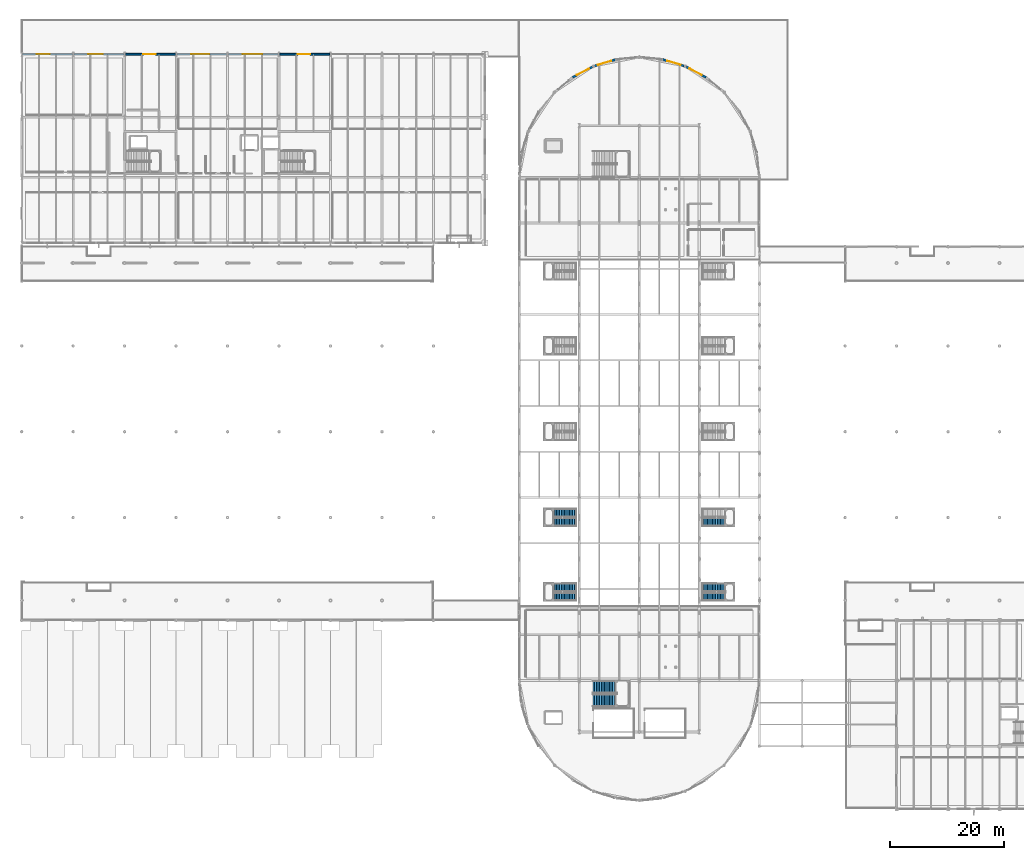
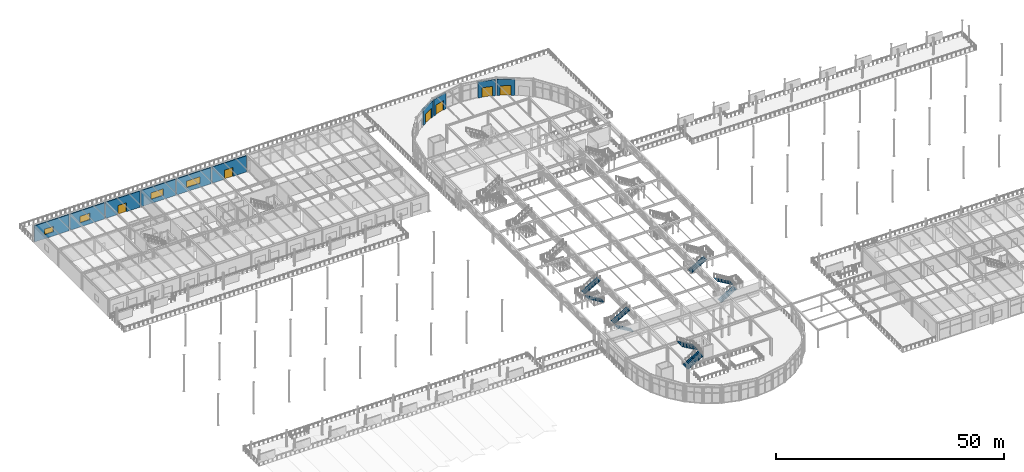
# One storey, part 89 of 143: 10 walls, 9 stair flights, 6 doors, 4 windows, 10 openings, 5 elements without a shape of their own.
"""IFC4 building model written with IfcOpenShell, lengths in metres."""

from ifc_helpers import new_model, si_unit, direction, frame, frame_2d, origin, place, context, subcontext, project, spatial, polyline, rectangle, outline, extrude, material, layer, layer_set, type_object, element, fill, aggregate, save


model = new_model("IFC4")

# Units and contexts
model_context = context("Model", 3, precision=1e-05, world=origin(), true_north=direction((0.0, 1.0)))
body_context = subcontext(model_context, "Body", "Model", "MODEL_VIEW")
ifc_project = project(units=[si_unit("LENGTHUNIT", "METRE"), si_unit("AREAUNIT", "SQUARE_METRE"), si_unit("VOLUMEUNIT", "CUBIC_METRE"), si_unit("PLANEANGLEUNIT", "RADIAN"), si_unit("MASSUNIT", "GRAM", prefix="KILO")], contexts=[model_context])

# Site, building, storey
site_placement = place(None, origin())
site = spatial("IfcSite", under=ifc_project, at=site_placement, CompositionType="ELEMENT")
building_placement = place(site_placement, origin())
building = spatial("IfcBuilding", under=site, at=building_placement, Name="Marlcrest Central Station", CompositionType="ELEMENT")
storey_placement = place(building_placement, frame((0.0, 0.0, 4.800048828125)))
storey = spatial("IfcBuildingStorey", under=building, at=storey_placement, Name="L01", CompositionType="ELEMENT", Elevation=4.800048828125)

# Wall, opening, window
ifc_material_1 = material(Name="Concrete C40/50", Category="concrete")
ifc_layer_1 = layer(ifc_material_1, 0.320068359375, Name="EW-01")
ifc_layer_set_1 = layer_set([ifc_layer_1], Name="Concrete C40/50")
wall_type_1 = type_object("IfcWallType", Name="EW-01", PredefinedType="SOLIDWALL", material=ifc_layer_set_1)
wall_1_placement = place(storey_placement, frame((0.14990234375, 132.0, 0.0), z_axis=(0.0, 0.0, 1.0), x_axis=(1.0, 0.0, 0.0)))
wall_1 = element("IfcWall", 1, at=wall_1_placement, inside=storey, type_object=wall_type_1, Name="ewall-L01-0112", PredefinedType="SOLIDWALL", context=body_context, shape_type="SweptSolid", body=[
    extrude(rectangle(XDim=8.7001953125, YDim=0.320068359375, at=frame_2d((4.35009765625, 0.0))), origin(), (0.0, 0.0, 1.0), 4.349853515625),
])
opening_1_placement = place(wall_1_placement, frame((2.5, 0.0, 1.10009765625)))
opening_1 = element("IfcOpeningElement", 2, at=opening_1_placement, cuts=wall_1, Name="Opening WN-16", PredefinedType="OPENING", context=body_context, shape_type="SweptSolid", body=[
    extrude(rectangle(XDim=2.25, YDim=1.449951171875, at=frame_2d((1.125, 0.72509765625))), frame((0.0, 0.169921875, 0.0), z_axis=(0.0, -1.0, 0.0), x_axis=(1.0, 0.0, 0.0)), (0.0, 0.0, 1.0), 0.340087890625),
])
ifc_material_2 = material(Name="Thermally broken bronze-anodised aluminium and laminated low-E glass", Category="aluminium")
window_type_1 = type_object("IfcWindowType", Name="WN-16", PartitioningType="SINGLE_PANEL", PredefinedType="WINDOW", material=ifc_material_2)
window_1_placement = place(opening_1_placement, origin())
window_1 = element("IfcWindow", 3, at=window_1_placement, inside=storey, type_object=window_type_1, Name="ewin-L01-0062", OverallHeight=1.449951171875, OverallWidth=2.25, PartitioningType="SINGLE_PANEL", PredefinedType="WINDOW", context=body_context, shape_type="SweptSolid", body=[
    extrude(rectangle(XDim=2.25, YDim=1.449951171875, at=frame_2d((1.125, 0.72509765625))), frame((0.0, 0.030029296875, 0.0), z_axis=(0.0, -1.0, 0.0), x_axis=(1.0, 0.0, 0.0)), (0.0, 0.0, 1.0), 0.06005859375),
])
fill(opening_1, window_1)

wall_2_placement = place(storey_placement, frame((9.14990234375, 132.0, 0.0), z_axis=(0.0, 0.0, 1.0), x_axis=(1.0, 0.0, 0.0)))
wall_2 = element("IfcWall", 4, at=wall_2_placement, inside=storey, type_object=wall_type_1, Name="ewall-L01-0114", PredefinedType="SOLIDWALL", context=body_context, shape_type="SweptSolid", body=[
    extrude(rectangle(XDim=8.7001953125, YDim=0.320068359375, at=frame_2d((4.35009765625, 0.0))), origin(), (0.0, 0.0, 1.0), 4.349853515625),
])
opening_2_placement = place(wall_2_placement, frame((2.5, 0.0, 1.10009765625)))
opening_2 = element("IfcOpeningElement", 5, at=opening_2_placement, cuts=wall_2, Name="Opening WN-17", PredefinedType="OPENING", context=body_context, shape_type="SweptSolid", body=[
    extrude(rectangle(XDim=2.550048828125, YDim=1.75, at=frame_2d((1.27490234375, 0.875))), frame((0.0, 0.169921875, 0.0), z_axis=(0.0, -1.0, 0.0), x_axis=(1.0, 0.0, 0.0)), (0.0, 0.0, 1.0), 0.340087890625),
])
window_type_2 = type_object("IfcWindowType", Name="WN-17", PartitioningType="SINGLE_PANEL", PredefinedType="WINDOW", material=ifc_material_2)
window_2_placement = place(opening_2_placement, origin())
window_2 = element("IfcWindow", 6, at=window_2_placement, inside=storey, type_object=window_type_2, Name="ewin-L01-0065", OverallHeight=1.75, OverallWidth=2.550048828125, PartitioningType="SINGLE_PANEL", PredefinedType="WINDOW", context=body_context, shape_type="SweptSolid", body=[
    extrude(rectangle(XDim=2.550048828125, YDim=1.75, at=frame_2d((1.27490234375, 0.875))), frame((0.0, 0.030029296875, 0.0), z_axis=(0.0, -1.0, 0.0), x_axis=(1.0, 0.0, 0.0)), (0.0, 0.0, 1.0), 0.06005859375),
])
fill(opening_2, window_2)

# Wall, opening, door
wall_3_placement = place(storey_placement, frame((18.14990234375, 132.0, 0.0), z_axis=(0.0, 0.0, 1.0), x_axis=(1.0, 0.0, 0.0)))
wall_3 = element("IfcWall", 7, at=wall_3_placement, inside=storey, type_object=wall_type_1, Name="ewall-L01-0116", PredefinedType="SOLIDWALL", context=body_context, shape_type="SweptSolid", body=[
    extrude(rectangle(XDim=8.7001953125, YDim=0.320068359375, at=frame_2d((4.35009765625, 0.0))), origin(), (0.0, 0.0, 1.0), 4.349853515625),
])
opening_3_placement = place(wall_3_placement, frame((3.10009765625, 0.0, 0.0)))
opening_3 = element("IfcOpeningElement", 8, at=opening_3_placement, cuts=wall_3, Name="Opening ED-01", PredefinedType="OPENING", context=body_context, shape_type="SweptSolid", body=[
    extrude(rectangle(XDim=2.199951171875, YDim=2.39990234375, at=frame_2d((1.10009765625, 1.199951171875))), frame((0.0, 0.169921875, 0.0), z_axis=(0.0, -1.0, 0.0), x_axis=(1.0, 0.0, 0.0)), (0.0, 0.0, 1.0), 0.340087890625),
])
ifc_material_3 = material(Name="Thermally broken anodised aluminium and laminated safety glass", Category="aluminium")
door_type_1 = type_object("IfcDoorType", Name="ED-01", OperationType="DOUBLE_DOOR_SINGLE_SWING", PredefinedType="DOOR", material=ifc_material_3)
door_1_placement = place(opening_3_placement, origin())
door_1 = element("IfcDoor", 9, at=door_1_placement, inside=storey, type_object=door_type_1, Name="Hillside Street Operations Entrance Door 040", OperationType="DOUBLE_DOOR_SINGLE_SWING", OverallHeight=2.39990234375, OverallWidth=2.199951171875, PredefinedType="DOOR", context=body_context, shape_type="SweptSolid", body=[
    extrude(rectangle(XDim=2.199951171875, YDim=2.39990234375, at=frame_2d((1.10009765625, 1.199951171875))), frame((0.0, 0.02490234375, 0.0), z_axis=(0.0, -1.0, 0.0), x_axis=(1.0, 0.0, 0.0)), (0.0, 0.0, 1.0), 0.050048828125),
])
fill(opening_3, door_1)

# Wall, opening, window
wall_4_placement = place(storey_placement, frame((27.14990234375, 132.0, 0.0), z_axis=(0.0, 0.0, 1.0), x_axis=(1.0, 0.0, 0.0)))
wall_4 = element("IfcWall", 10, at=wall_4_placement, inside=storey, type_object=wall_type_1, Name="ewall-L01-0118", PredefinedType="SOLIDWALL", context=body_context, shape_type="SweptSolid", body=[
    extrude(rectangle(XDim=8.7001953125, YDim=0.320068359375, at=frame_2d((4.35009765625, 0.0))), origin(), (0.0, 0.0, 1.0), 4.349853515625),
])
opening_4_placement = place(wall_4_placement, frame((2.5, 0.0, 1.10009765625)))
opening_4 = element("IfcOpeningElement", 11, at=opening_4_placement, cuts=wall_4, Name="Opening WN-19", PredefinedType="OPENING", context=body_context, shape_type="SweptSolid", body=[
    extrude(rectangle(XDim=3.14990234375, YDim=1.75, at=frame_2d((1.574951171875, 0.875))), frame((0.0, 0.169921875, 0.0), z_axis=(0.0, -1.0, 0.0), x_axis=(1.0, 0.0, 0.0)), (0.0, 0.0, 1.0), 0.340087890625),
])
window_type_3 = type_object("IfcWindowType", Name="WN-19", PartitioningType="SINGLE_PANEL", PredefinedType="WINDOW", material=ifc_material_2)
window_3_placement = place(opening_4_placement, origin())
window_3 = element("IfcWindow", 12, at=window_3_placement, inside=storey, type_object=window_type_3, Name="ewin-L01-0068", OverallHeight=1.75, OverallWidth=3.14990234375, PartitioningType="SINGLE_PANEL", PredefinedType="WINDOW", context=body_context, shape_type="SweptSolid", body=[
    extrude(rectangle(XDim=3.14990234375, YDim=1.75, at=frame_2d((1.574951171875, 0.875))), frame((0.0, 0.030029296875, 0.0), z_axis=(0.0, -1.0, 0.0), x_axis=(1.0, 0.0, 0.0)), (0.0, 0.0, 1.0), 0.06005859375),
])
fill(opening_4, window_3)

wall_5_placement = place(storey_placement, frame((36.14990234375, 132.0, 0.0), z_axis=(0.0, 0.0, 1.0), x_axis=(1.0, 0.0, 0.0)))
wall_5 = element("IfcWall", 13, at=wall_5_placement, inside=storey, type_object=wall_type_1, Name="ewall-L01-0120", PredefinedType="SOLIDWALL", context=body_context, shape_type="SweptSolid", body=[
    extrude(rectangle(XDim=8.7001953125, YDim=0.320068359375, at=frame_2d((4.35009765625, 0.0))), origin(), (0.0, 0.0, 1.0), 4.349853515625),
])
opening_5_placement = place(wall_5_placement, frame((2.5, 0.0, 1.10009765625)))
opening_5 = element("IfcOpeningElement", 14, at=opening_5_placement, cuts=wall_5, Name="Opening WN-20", PredefinedType="OPENING", context=body_context, shape_type="SweptSolid", body=[
    extrude(rectangle(XDim=3.449951171875, YDim=1.75, at=frame_2d((1.72509765625, 0.875))), frame((0.0, 0.169921875, 0.0), z_axis=(0.0, -1.0, 0.0), x_axis=(1.0, 0.0, 0.0)), (0.0, 0.0, 1.0), 0.340087890625),
])
window_type_4 = type_object("IfcWindowType", Name="WN-20", PartitioningType="SINGLE_PANEL", PredefinedType="WINDOW", material=ifc_material_2)
window_4_placement = place(opening_5_placement, origin())
window_4 = element("IfcWindow", 15, at=window_4_placement, inside=storey, type_object=window_type_4, Name="ewin-L01-0071", OverallHeight=1.75, OverallWidth=3.449951171875, PartitioningType="SINGLE_PANEL", PredefinedType="WINDOW", context=body_context, shape_type="SweptSolid", body=[
    extrude(rectangle(XDim=3.449951171875, YDim=1.75, at=frame_2d((1.72509765625, 0.875))), frame((0.0, 0.030029296875, 0.0), z_axis=(0.0, -1.0, 0.0), x_axis=(1.0, 0.0, 0.0)), (0.0, 0.0, 1.0), 0.06005859375),
])
fill(opening_5, window_4)

# Wall, opening, door
wall_6_placement = place(storey_placement, frame((45.14990234375, 132.0, 0.0), z_axis=(0.0, 0.0, 1.0), x_axis=(1.0, 0.0, 0.0)))
wall_6 = element("IfcWall", 16, at=wall_6_placement, inside=storey, type_object=wall_type_1, Name="ewall-L01-0122", PredefinedType="SOLIDWALL", context=body_context, shape_type="SweptSolid", body=[
    extrude(rectangle(XDim=8.7001953125, YDim=0.320068359375, at=frame_2d((4.35009765625, 0.0))), origin(), (0.0, 0.0, 1.0), 4.349853515625),
])
opening_6_placement = place(wall_6_placement, frame((3.10009765625, 0.0, 0.0)))
opening_6 = element("IfcOpeningElement", 17, at=opening_6_placement, cuts=wall_6, Name="Opening ED-01", PredefinedType="OPENING", context=body_context, shape_type="SweptSolid", body=[
    extrude(rectangle(XDim=2.199951171875, YDim=2.39990234375, at=frame_2d((1.10009765625, 1.199951171875))), frame((0.0, 0.169921875, 0.0), z_axis=(0.0, -1.0, 0.0), x_axis=(1.0, 0.0, 0.0)), (0.0, 0.0, 1.0), 0.340087890625),
])
door_2_placement = place(opening_6_placement, origin())
door_2 = element("IfcDoor", 18, at=door_2_placement, inside=storey, type_object=door_type_1, Name="Hillside Street Operations Entrance Door 042", OperationType="DOUBLE_DOOR_SINGLE_SWING", OverallHeight=2.39990234375, OverallWidth=2.199951171875, PredefinedType="DOOR", context=body_context, shape_type="SweptSolid", body=[
    extrude(rectangle(XDim=2.199951171875, YDim=2.39990234375, at=frame_2d((1.10009765625, 1.199951171875))), frame((0.0, 0.02490234375, 0.0), z_axis=(0.0, -1.0, 0.0), x_axis=(1.0, 0.0, 0.0)), (0.0, 0.0, 1.0), 0.050048828125),
])
fill(opening_6, door_2)

ifc_material_4 = material(Name="St. Thomas limestone on Concrete C40/50", Category="masonry")
ifc_layer_2 = layer(ifc_material_4, 0.360107421875, Name="EW-06")
ifc_layer_set_2 = layer_set([ifc_layer_2], Name="St. Thomas limestone on Concrete C40/50")
wall_type_2 = type_object("IfcWallType", Name="EW-06", PredefinedType="SOLIDWALL", material=ifc_layer_set_2)
wall_7_placement = place(storey_placement, frame((96.3330078125, 127.9609375, 0.0), z_axis=(0.0, 0.0, 1.0), x_axis=(0.881935241061, 0.471370587303, 0.0)))
wall_7 = element("IfcWall", 19, at=wall_7_placement, inside=storey, type_object=wall_type_2, Name="ewall-L01-0010", PredefinedType="SOLIDWALL", context=body_context, shape_type="SweptSolid", body=[
    extrude(rectangle(XDim=3.918701171875, YDim=0.360107421875, at=frame_2d((1.95947265625, 0.0))), origin(), (0.0, 0.0, 1.0), 4.300048828125),
])
opening_7_placement = place(wall_7_placement, frame((0.84912109375, 0.0, 0.0)))
opening_7 = element("IfcOpeningElement", 20, at=opening_7_placement, cuts=wall_7, Name="Opening ED-02", PredefinedType="OPENING", context=body_context, shape_type="SweptSolid", body=[
    extrude(rectangle(XDim=2.39990234375, YDim=2.60009765625, at=frame_2d((1.199951171875, 1.300048828125))), frame((0.0, 0.18994140625, 0.0), z_axis=(0.0, -1.0, 0.0), x_axis=(1.0, 0.0, 0.0)), (0.0, 0.0, 1.0), 0.380126953125),
])
door_type_2 = type_object("IfcDoorType", Name="ED-02", OperationType="DOUBLE_DOOR_SINGLE_SWING", PredefinedType="DOOR", material=ifc_material_3)
door_3_placement = place(opening_7_placement, origin())
door_3 = element("IfcDoor", 21, at=door_3_placement, inside=storey, type_object=door_type_2, Name="North Hillside Pedestrian Entrance Door 010", OperationType="DOUBLE_DOOR_SINGLE_SWING", OverallHeight=2.60009765625, OverallWidth=2.39990234375, PredefinedType="DOOR", context=body_context, shape_type="SweptSolid", body=[
    extrude(rectangle(XDim=2.39990234375, YDim=2.60009765625, at=frame_2d((1.199951171875, 1.300048828125))), frame((0.0, 0.02490234375, 0.0), z_axis=(0.0, -1.0, 0.0), x_axis=(1.0, 0.0, 0.0)), (0.0, 0.0, 1.0), 0.050048828125),
])
fill(opening_7, door_3)

wall_8_placement = place(storey_placement, frame((100.154052734375, 129.958984375, 0.0), z_axis=(0.0, 0.0, 1.0), x_axis=(0.956960962515, 0.290216671166, 0.0)))
wall_8 = element("IfcWall", 22, at=wall_8_placement, inside=storey, type_object=wall_type_2, Name="ewall-L01-0011", PredefinedType="SOLIDWALL", context=body_context, shape_type="SweptSolid", body=[
    extrude(rectangle(XDim=3.917724609375, YDim=0.360107421875, at=frame_2d((1.958984375, 0.0))), origin(), (0.0, 0.0, 1.0), 4.300048828125),
])
opening_8_placement = place(wall_8_placement, frame((0.65087890625, 0.0, 0.0)))
opening_8 = element("IfcOpeningElement", 23, at=opening_8_placement, cuts=wall_8, Name="Opening ED-02", PredefinedType="OPENING", context=body_context, shape_type="SweptSolid", body=[
    extrude(rectangle(XDim=2.39990234375, YDim=2.60009765625, at=frame_2d((1.199951171875, 1.300048828125))), frame((0.0, 0.18994140625, 0.0), z_axis=(0.0, -1.0, 0.0), x_axis=(1.0, 0.0, 0.0)), (0.0, 0.0, 1.0), 0.380126953125),
])
door_4_placement = place(opening_8_placement, origin())
door_4 = element("IfcDoor", 24, at=door_4_placement, inside=storey, type_object=door_type_2, Name="North Hillside Pedestrian Entrance Door 011", OperationType="DOUBLE_DOOR_SINGLE_SWING", OverallHeight=2.60009765625, OverallWidth=2.39990234375, PredefinedType="DOOR", context=body_context, shape_type="SweptSolid", body=[
    extrude(rectangle(XDim=2.39990234375, YDim=2.60009765625, at=frame_2d((1.199951171875, 1.300048828125))), frame((0.0, 0.02490234375, 0.0), z_axis=(0.0, -1.0, 0.0), x_axis=(1.0, 0.0, 0.0)), (0.0, 0.0, 1.0), 0.050048828125),
])
fill(opening_8, door_4)

wall_9_placement = place(storey_placement, frame((112.096923828125, 131.095947265625, 0.0), z_axis=(0.0, 0.0, 1.0), x_axis=(0.956960962515, -0.290216671166, 0.0)))
wall_9 = element("IfcWall", 25, at=wall_9_placement, inside=storey, type_object=wall_type_2, Name="ewall-L01-0012", PredefinedType="SOLIDWALL", context=body_context, shape_type="SweptSolid", body=[
    extrude(rectangle(XDim=3.917724609375, YDim=0.360107421875, at=frame_2d((1.958984375, 0.0))), origin(), (0.0, 0.0, 1.0), 4.300048828125),
])
opening_9_placement = place(wall_9_placement, frame((0.84912109375, 0.0, 0.0)))
opening_9 = element("IfcOpeningElement", 26, at=opening_9_placement, cuts=wall_9, Name="Opening ED-02", PredefinedType="OPENING", context=body_context, shape_type="SweptSolid", body=[
    extrude(rectangle(XDim=2.39990234375, YDim=2.60009765625, at=frame_2d((1.199951171875, 1.300048828125))), frame((0.0, 0.18994140625, 0.0), z_axis=(0.0, -1.0, 0.0), x_axis=(1.0, 0.0, 0.0)), (0.0, 0.0, 1.0), 0.380126953125),
])
door_5_placement = place(opening_9_placement, origin())
door_5 = element("IfcDoor", 27, at=door_5_placement, inside=storey, type_object=door_type_2, Name="North Hillside Pedestrian Entrance Door 012", OperationType="DOUBLE_DOOR_SINGLE_SWING", OverallHeight=2.60009765625, OverallWidth=2.39990234375, PredefinedType="DOOR", context=body_context, shape_type="SweptSolid", body=[
    extrude(rectangle(XDim=2.39990234375, YDim=2.60009765625, at=frame_2d((1.199951171875, 1.300048828125))), frame((0.0, 0.02490234375, 0.0), z_axis=(0.0, -1.0, 0.0), x_axis=(1.0, 0.0, 0.0)), (0.0, 0.0, 1.0), 0.050048828125),
])
fill(opening_9, door_5)

wall_10_placement = place(storey_placement, frame((116.2109375, 129.80810546875, 0.0), z_axis=(0.0, 0.0, 1.0), x_axis=(0.881935241061, -0.471370587303, 0.0)))
wall_10 = element("IfcWall", 28, at=wall_10_placement, inside=storey, type_object=wall_type_2, Name="ewall-L01-0013", PredefinedType="SOLIDWALL", context=body_context, shape_type="SweptSolid", body=[
    extrude(rectangle(XDim=3.918701171875, YDim=0.360107421875, at=frame_2d((1.95947265625, 0.0))), origin(), (0.0, 0.0, 1.0), 4.300048828125),
])
opening_10_placement = place(wall_10_placement, frame((0.65087890625, 0.0, 0.0)))
opening_10 = element("IfcOpeningElement", 29, at=opening_10_placement, cuts=wall_10, Name="Opening ED-02", PredefinedType="OPENING", context=body_context, shape_type="SweptSolid", body=[
    extrude(rectangle(XDim=2.39990234375, YDim=2.60009765625, at=frame_2d((1.199951171875, 1.300048828125))), frame((0.0, 0.18994140625, 0.0), z_axis=(0.0, -1.0, 0.0), x_axis=(1.0, 0.0, 0.0)), (0.0, 0.0, 1.0), 0.380126953125),
])
door_6_placement = place(opening_10_placement, origin())
door_6 = element("IfcDoor", 30, at=door_6_placement, inside=storey, type_object=door_type_2, Name="North Hillside Pedestrian Entrance Door 013", OperationType="DOUBLE_DOOR_SINGLE_SWING", OverallHeight=2.60009765625, OverallWidth=2.39990234375, PredefinedType="DOOR", context=body_context, shape_type="SweptSolid", body=[
    extrude(rectangle(XDim=2.39990234375, YDim=2.60009765625, at=frame_2d((1.199951171875, 1.300048828125))), frame((0.0, 0.02490234375, 0.0), z_axis=(0.0, -1.0, 0.0), x_axis=(1.0, 0.0, 0.0)), (0.0, 0.0, 1.0), 0.050048828125),
])
fill(opening_10, door_6)

# Stair, stair flights
ifc_material_5 = material(Name="Concrete C35/45", Category="concrete")
stair_type_1 = type_object("IfcStairType", Name="ST-HTP", PredefinedType="HALF_TURN_STAIR", material=ifc_material_5)
stair_1_placement = place(storey_placement, origin())
stair_1 = element("IfcStair", 31, at=stair_1_placement, inside=storey, type_object=stair_type_1, Name="ST-P1WU", PredefinedType="HALF_TURN_STAIR")
stair_flight_type_1 = type_object("IfcStairFlightType", Name="SF-145", PredefinedType="STRAIGHT", material=ifc_material_5)
stair_flight_1_placement = place(storey_placement, frame((96.929931640625, 37.14501953125, 0.0), z_axis=(0.0, 0.0, 1.0), x_axis=(-1.0, 0.0, 0.0)))
stair_flight_1 = element("IfcStairFlight", 32, at=stair_flight_1_placement, type_object=stair_flight_type_1, Name="ST-P1WU-F1", NumberOfRisers=15, NumberOfTreads=14, PredefinedType="STRAIGHT", RiserHeight=0.166667, TreadLength=0.285, context=body_context, shape_type="SweptSolid", body=[
    extrude(outline(polyline([(0.0, 0.0), (0.0, 0.166748046875), (0.284912109375, 0.166748046875), (0.284912109375, 0.333251953125), (0.570068359375, 0.333251953125), (0.570068359375, 0.5), (0.85498046875, 0.5), (0.85498046875, 0.666748046875), (1.139892578125, 0.666748046875), (1.139892578125, 0.833251953125), (1.425048828125, 0.833251953125), (1.425048828125, 1.0), (1.7099609375, 1.0), (1.7099609375, 1.166748046875), (1.9951171875, 1.166748046875), (1.9951171875, 1.333251953125), (2.280029296875, 1.333251953125), (2.280029296875, 1.5), (2.56494140625, 1.5), (2.56494140625, 1.666748046875), (2.85009765625, 1.666748046875), (2.85009765625, 1.833251953125), (3.135009765625, 1.833251953125), (3.135009765625, 2.0), (3.419921875, 2.0), (3.419921875, 2.166748046875), (3.705078125, 2.166748046875), (3.705078125, 2.333251953125), (3.989990234375, 2.333251953125), (3.989990234375, 2.5), (3.989990234375, 2.148193359375), (0.31689453125, 0.0), (0.0, 0.0)])), frame((0.0, 0.72509765625, 0.0), z_axis=(0.0, -1.0, 0.0), x_axis=(1.0, 0.0, 0.0)), (0.0, 0.0, 1.0), 1.449951171875),
])
stair_flight_2_placement = place(storey_placement, frame((92.93994140625, 38.7548828125, 2.5), z_axis=(0.0, 0.0, 1.0), x_axis=(1.0, 0.0, 0.0)))
stair_flight_2 = element("IfcStairFlight", 33, at=stair_flight_2_placement, type_object=stair_flight_type_1, Name="ST-P1WU-F2", NumberOfRisers=15, NumberOfTreads=14, PredefinedType="STRAIGHT", RiserHeight=0.166667, TreadLength=0.285, context=body_context, shape_type="SweptSolid", body=[
    extrude(outline(polyline([(0.0, 0.0), (0.0, 0.166748046875), (0.284912109375, 0.166748046875), (0.284912109375, 0.333251953125), (0.570068359375, 0.333251953125), (0.570068359375, 0.5), (0.85498046875, 0.5), (0.85498046875, 0.666748046875), (1.139892578125, 0.666748046875), (1.139892578125, 0.833251953125), (1.425048828125, 0.833251953125), (1.425048828125, 1.0), (1.7099609375, 1.0), (1.7099609375, 1.166748046875), (1.9951171875, 1.166748046875), (1.9951171875, 1.333251953125), (2.280029296875, 1.333251953125), (2.280029296875, 1.5), (2.56494140625, 1.5), (2.56494140625, 1.666748046875), (2.85009765625, 1.666748046875), (2.85009765625, 1.833251953125), (3.135009765625, 1.833251953125), (3.135009765625, 2.0), (3.419921875, 2.0), (3.419921875, 2.166748046875), (3.705078125, 2.166748046875), (3.705078125, 2.333251953125), (3.989990234375, 2.333251953125), (3.989990234375, 2.5), (3.989990234375, 2.148193359375), (0.31689453125, 0.0), (0.0, 0.0)])), frame((0.0, 0.72509765625, 0.0), z_axis=(0.0, -1.0, 0.0), x_axis=(1.0, 0.0, 0.0)), (0.0, 0.0, 1.0), 1.449951171875),
])
aggregate(stair_1, [stair_flight_1, stair_flight_2])

stair_2_placement = place(storey_placement, origin())
stair_2 = element("IfcStair", 34, at=stair_2_placement, inside=storey, type_object=stair_type_1, Name="ST-P1EU", PredefinedType="HALF_TURN_STAIR")
stair_flight_3_placement = place(storey_placement, frame((119.070068359375, 37.14501953125, 0.0), z_axis=(0.0, 0.0, 1.0), x_axis=(1.0, 0.0, 0.0)))
stair_flight_3 = element("IfcStairFlight", 35, at=stair_flight_3_placement, type_object=stair_flight_type_1, Name="ST-P1EU-F1", NumberOfRisers=15, NumberOfTreads=14, PredefinedType="STRAIGHT", RiserHeight=0.166667, TreadLength=0.285, context=body_context, shape_type="SweptSolid", body=[
    extrude(outline(polyline([(0.0, 0.0), (0.0, 0.166748046875), (0.284912109375, 0.166748046875), (0.284912109375, 0.333251953125), (0.570068359375, 0.333251953125), (0.570068359375, 0.5), (0.85498046875, 0.5), (0.85498046875, 0.666748046875), (1.139892578125, 0.666748046875), (1.139892578125, 0.833251953125), (1.425048828125, 0.833251953125), (1.425048828125, 1.0), (1.7099609375, 1.0), (1.7099609375, 1.166748046875), (1.9951171875, 1.166748046875), (1.9951171875, 1.333251953125), (2.280029296875, 1.333251953125), (2.280029296875, 1.5), (2.56494140625, 1.5), (2.56494140625, 1.666748046875), (2.85009765625, 1.666748046875), (2.85009765625, 1.833251953125), (3.135009765625, 1.833251953125), (3.135009765625, 2.0), (3.419921875, 2.0), (3.419921875, 2.166748046875), (3.705078125, 2.166748046875), (3.705078125, 2.333251953125), (3.989990234375, 2.333251953125), (3.989990234375, 2.5), (3.989990234375, 2.148193359375), (0.31689453125, 0.0), (0.0, 0.0)])), frame((0.0, 0.72509765625, 0.0), z_axis=(0.0, -1.0, 0.0), x_axis=(1.0, 0.0, 0.0)), (0.0, 0.0, 1.0), 1.449951171875),
])
stair_flight_4_placement = place(storey_placement, frame((123.06005859375, 38.7548828125, 2.5), z_axis=(0.0, 0.0, 1.0), x_axis=(-1.0, 0.0, 0.0)))
stair_flight_4 = element("IfcStairFlight", 36, at=stair_flight_4_placement, type_object=stair_flight_type_1, Name="ST-P1EU-F2", NumberOfRisers=15, NumberOfTreads=14, PredefinedType="STRAIGHT", RiserHeight=0.166667, TreadLength=0.285, context=body_context, shape_type="SweptSolid", body=[
    extrude(outline(polyline([(0.0, 0.0), (0.0, 0.166748046875), (0.284912109375, 0.166748046875), (0.284912109375, 0.333251953125), (0.570068359375, 0.333251953125), (0.570068359375, 0.5), (0.85498046875, 0.5), (0.85498046875, 0.666748046875), (1.139892578125, 0.666748046875), (1.139892578125, 0.833251953125), (1.425048828125, 0.833251953125), (1.425048828125, 1.0), (1.7099609375, 1.0), (1.7099609375, 1.166748046875), (1.9951171875, 1.166748046875), (1.9951171875, 1.333251953125), (2.280029296875, 1.333251953125), (2.280029296875, 1.5), (2.56494140625, 1.5), (2.56494140625, 1.666748046875), (2.85009765625, 1.666748046875), (2.85009765625, 1.833251953125), (3.135009765625, 1.833251953125), (3.135009765625, 2.0), (3.419921875, 2.0), (3.419921875, 2.166748046875), (3.705078125, 2.166748046875), (3.705078125, 2.333251953125), (3.989990234375, 2.333251953125), (3.989990234375, 2.5), (3.989990234375, 2.148193359375), (0.31689453125, 0.0), (0.0, 0.0)])), frame((0.0, 0.72509765625, 0.0), z_axis=(0.0, -1.0, 0.0), x_axis=(1.0, 0.0, 0.0)), (0.0, 0.0, 1.0), 1.449951171875),
])
aggregate(stair_2, [stair_flight_3, stair_flight_4])

stair_3_placement = place(storey_placement, origin())
stair_3 = element("IfcStair", 37, at=stair_3_placement, inside=storey, type_object=stair_type_1, Name="ST-P2WU", PredefinedType="HALF_TURN_STAIR")
stair_flight_5_placement = place(storey_placement, frame((96.929931640625, 50.195068359375, 0.0), z_axis=(0.0, 0.0, 1.0), x_axis=(-1.0, 0.0, 0.0)))
stair_flight_5 = element("IfcStairFlight", 38, at=stair_flight_5_placement, type_object=stair_flight_type_1, Name="ST-P2WU-F1", NumberOfRisers=15, NumberOfTreads=14, PredefinedType="STRAIGHT", RiserHeight=0.166667, TreadLength=0.285, context=body_context, shape_type="SweptSolid", body=[
    extrude(outline(polyline([(0.0, 0.0), (0.0, 0.166748046875), (0.284912109375, 0.166748046875), (0.284912109375, 0.333251953125), (0.570068359375, 0.333251953125), (0.570068359375, 0.5), (0.85498046875, 0.5), (0.85498046875, 0.666748046875), (1.139892578125, 0.666748046875), (1.139892578125, 0.833251953125), (1.425048828125, 0.833251953125), (1.425048828125, 1.0), (1.7099609375, 1.0), (1.7099609375, 1.166748046875), (1.9951171875, 1.166748046875), (1.9951171875, 1.333251953125), (2.280029296875, 1.333251953125), (2.280029296875, 1.5), (2.56494140625, 1.5), (2.56494140625, 1.666748046875), (2.85009765625, 1.666748046875), (2.85009765625, 1.833251953125), (3.135009765625, 1.833251953125), (3.135009765625, 2.0), (3.419921875, 2.0), (3.419921875, 2.166748046875), (3.705078125, 2.166748046875), (3.705078125, 2.333251953125), (3.989990234375, 2.333251953125), (3.989990234375, 2.5), (3.989990234375, 2.148193359375), (0.31689453125, 0.0), (0.0, 0.0)])), frame((0.0, 0.72509765625, 0.0), z_axis=(0.0, -1.0, 0.0), x_axis=(1.0, 0.0, 0.0)), (0.0, 0.0, 1.0), 1.449951171875),
])
stair_flight_6_placement = place(storey_placement, frame((92.93994140625, 51.804931640625, 2.5), z_axis=(0.0, 0.0, 1.0), x_axis=(1.0, 0.0, 0.0)))
stair_flight_6 = element("IfcStairFlight", 39, at=stair_flight_6_placement, type_object=stair_flight_type_1, Name="ST-P2WU-F2", NumberOfRisers=15, NumberOfTreads=14, PredefinedType="STRAIGHT", RiserHeight=0.166667, TreadLength=0.285, context=body_context, shape_type="SweptSolid", body=[
    extrude(outline(polyline([(0.0, 0.0), (0.0, 0.166748046875), (0.284912109375, 0.166748046875), (0.284912109375, 0.333251953125), (0.570068359375, 0.333251953125), (0.570068359375, 0.5), (0.85498046875, 0.5), (0.85498046875, 0.666748046875), (1.139892578125, 0.666748046875), (1.139892578125, 0.833251953125), (1.425048828125, 0.833251953125), (1.425048828125, 1.0), (1.7099609375, 1.0), (1.7099609375, 1.166748046875), (1.9951171875, 1.166748046875), (1.9951171875, 1.333251953125), (2.280029296875, 1.333251953125), (2.280029296875, 1.5), (2.56494140625, 1.5), (2.56494140625, 1.666748046875), (2.85009765625, 1.666748046875), (2.85009765625, 1.833251953125), (3.135009765625, 1.833251953125), (3.135009765625, 2.0), (3.419921875, 2.0), (3.419921875, 2.166748046875), (3.705078125, 2.166748046875), (3.705078125, 2.333251953125), (3.989990234375, 2.333251953125), (3.989990234375, 2.5), (3.989990234375, 2.148193359375), (0.31689453125, 0.0), (0.0, 0.0)])), frame((0.0, 0.72509765625, 0.0), z_axis=(0.0, -1.0, 0.0), x_axis=(1.0, 0.0, 0.0)), (0.0, 0.0, 1.0), 1.449951171875),
])
aggregate(stair_3, [stair_flight_5, stair_flight_6])

# Stair, stair flight
stair_4_placement = place(storey_placement, origin())
stair_4 = element("IfcStair", 40, at=stair_4_placement, inside=storey, type_object=stair_type_1, Name="ST-P2EU", PredefinedType="HALF_TURN_STAIR")
stair_flight_7_placement = place(storey_placement, frame((119.070068359375, 50.195068359375, 0.0), z_axis=(0.0, 0.0, 1.0), x_axis=(1.0, 0.0, 0.0)))
stair_flight_7 = element("IfcStairFlight", 41, at=stair_flight_7_placement, type_object=stair_flight_type_1, Name="ST-P2EU-F1", NumberOfRisers=15, NumberOfTreads=14, PredefinedType="STRAIGHT", RiserHeight=0.166667, TreadLength=0.285, context=body_context, shape_type="SweptSolid", body=[
    extrude(outline(polyline([(0.0, 0.0), (0.0, 0.166748046875), (0.284912109375, 0.166748046875), (0.284912109375, 0.333251953125), (0.570068359375, 0.333251953125), (0.570068359375, 0.5), (0.85498046875, 0.5), (0.85498046875, 0.666748046875), (1.139892578125, 0.666748046875), (1.139892578125, 0.833251953125), (1.425048828125, 0.833251953125), (1.425048828125, 1.0), (1.7099609375, 1.0), (1.7099609375, 1.166748046875), (1.9951171875, 1.166748046875), (1.9951171875, 1.333251953125), (2.280029296875, 1.333251953125), (2.280029296875, 1.5), (2.56494140625, 1.5), (2.56494140625, 1.666748046875), (2.85009765625, 1.666748046875), (2.85009765625, 1.833251953125), (3.135009765625, 1.833251953125), (3.135009765625, 2.0), (3.419921875, 2.0), (3.419921875, 2.166748046875), (3.705078125, 2.166748046875), (3.705078125, 2.333251953125), (3.989990234375, 2.333251953125), (3.989990234375, 2.5), (3.989990234375, 2.148193359375), (0.31689453125, 0.0), (0.0, 0.0)])), frame((0.0, 0.72509765625, 0.0), z_axis=(0.0, -1.0, 0.0), x_axis=(1.0, 0.0, 0.0)), (0.0, 0.0, 1.0), 1.449951171875),
])
aggregate(stair_4, [stair_flight_7])

# Stair, stair flights
stair_type_2 = type_object("IfcStairType", Name="ST-HTW", PredefinedType="HALF_TURN_STAIR", material=ifc_material_5)
stair_5_placement = place(storey_placement, origin())
stair_5 = element("IfcStair", 42, at=stair_5_placement, inside=storey, type_object=stair_type_2, Name="ST-S11", PredefinedType="HALF_TURN_STAIR")
stair_flight_type_2 = type_object("IfcStairFlightType", Name="SF-240", PredefinedType="STRAIGHT", material=ifc_material_5)
stair_flight_8_placement = place(storey_placement, frame((99.919921875, 19.02001953125, 0.0), z_axis=(0.0, 0.0, 1.0), x_axis=(1.0, 0.0, 0.0)))
stair_flight_8 = element("IfcStairFlight", 43, at=stair_flight_8_placement, type_object=stair_flight_type_2, Name="ST-S11-F1", NumberOfRisers=15, NumberOfTreads=14, PredefinedType="STRAIGHT", RiserHeight=0.166666667, TreadLength=0.285, context=body_context, shape_type="SweptSolid", body=[
    extrude(outline(polyline([(0.0, 0.0), (0.0, 0.166748046875), (0.284912109375, 0.166748046875), (0.284912109375, 0.333251953125), (0.570068359375, 0.333251953125), (0.570068359375, 0.5), (0.85498046875, 0.5), (0.85498046875, 0.666748046875), (1.139892578125, 0.666748046875), (1.139892578125, 0.833251953125), (1.425048828125, 0.833251953125), (1.425048828125, 1.0), (1.7099609375, 1.0), (1.7099609375, 1.166748046875), (1.9951171875, 1.166748046875), (1.9951171875, 1.333251953125), (2.280029296875, 1.333251953125), (2.280029296875, 1.5), (2.56494140625, 1.5), (2.56494140625, 1.666748046875), (2.85009765625, 1.666748046875), (2.85009765625, 1.833251953125), (3.135009765625, 1.833251953125), (3.135009765625, 2.0), (3.419921875, 2.0), (3.419921875, 2.166748046875), (3.705078125, 2.166748046875), (3.705078125, 2.333251953125), (3.989990234375, 2.333251953125), (3.989990234375, 2.5), (3.989990234375, 2.14208984375), (0.326904296875, 0.0), (0.0, 0.0)])), frame((0.0, 1.10009765625, 0.0), z_axis=(0.0, -1.0, 0.0), x_axis=(1.0, 0.0, 0.0)), (0.0, 0.0, 1.0), 2.199951171875),
])
stair_flight_9_placement = place(storey_placement, frame((103.909912109375, 21.3798828125, 2.5), z_axis=(0.0, 0.0, 1.0), x_axis=(-1.0, 0.0, 0.0)))
stair_flight_9 = element("IfcStairFlight", 44, at=stair_flight_9_placement, type_object=stair_flight_type_2, Name="ST-S11-F2", NumberOfRisers=15, NumberOfTreads=14, PredefinedType="STRAIGHT", RiserHeight=0.166666667, TreadLength=0.285, context=body_context, shape_type="SweptSolid", body=[
    extrude(outline(polyline([(0.0, 0.0), (0.0, 0.166748046875), (0.284912109375, 0.166748046875), (0.284912109375, 0.333251953125), (0.570068359375, 0.333251953125), (0.570068359375, 0.5), (0.85498046875, 0.5), (0.85498046875, 0.666748046875), (1.139892578125, 0.666748046875), (1.139892578125, 0.833251953125), (1.425048828125, 0.833251953125), (1.425048828125, 1.0), (1.7099609375, 1.0), (1.7099609375, 1.166748046875), (1.9951171875, 1.166748046875), (1.9951171875, 1.333251953125), (2.280029296875, 1.333251953125), (2.280029296875, 1.5), (2.56494140625, 1.5), (2.56494140625, 1.666748046875), (2.85009765625, 1.666748046875), (2.85009765625, 1.833251953125), (3.135009765625, 1.833251953125), (3.135009765625, 2.0), (3.419921875, 2.0), (3.419921875, 2.166748046875), (3.705078125, 2.166748046875), (3.705078125, 2.333251953125), (3.989990234375, 2.333251953125), (3.989990234375, 2.5), (3.989990234375, 2.14208984375), (0.326904296875, 0.0), (0.0, 0.0)])), frame((0.0, 1.10009765625, 0.0), z_axis=(0.0, -1.0, 0.0), x_axis=(1.0, 0.0, 0.0)), (0.0, 0.0, 1.0), 2.199951171875),
])
aggregate(stair_5, [stair_flight_8, stair_flight_9])

save(model, "model.ifc")
